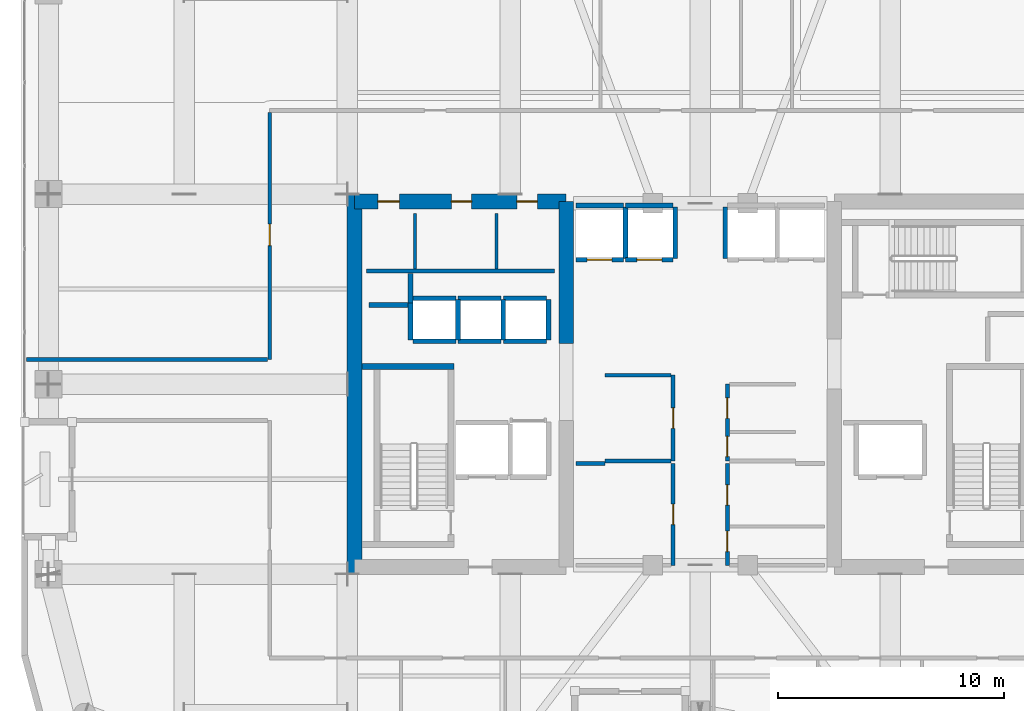
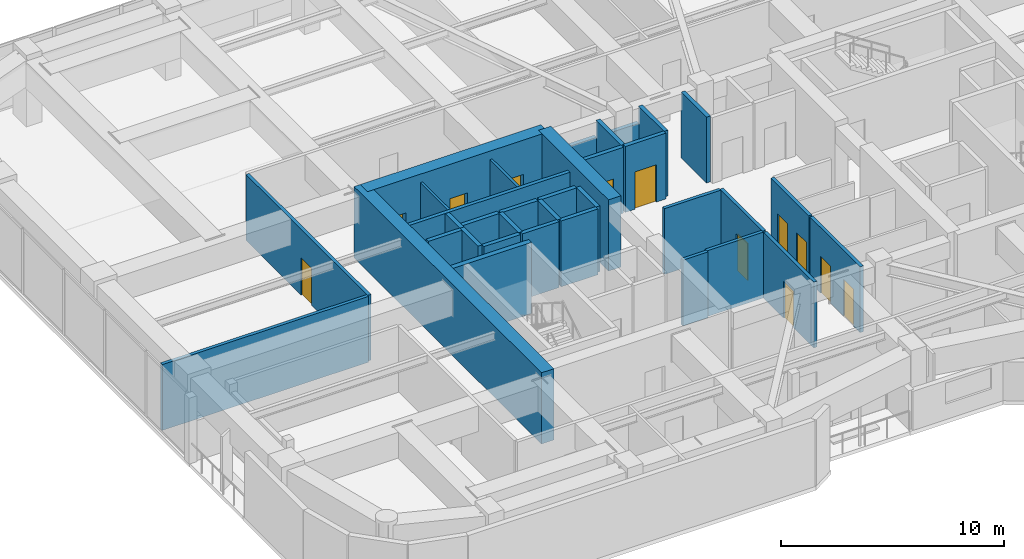
# One storey, part 25 of 30: 35 walls, 12 doors, 12 openings.
"""IFC4 building model written with IfcOpenShell, lengths in metres."""

from ifc_helpers import new_model, si_unit, direction, frame, frame_2d, origin, place, context, subcontext, project, spatial, rectangle, extrude, material, layer, layer_set, type_object, element, fill, save


model = new_model("IFC4")

# Units and contexts
model_context = context("Model", 3, precision=1e-05, world=origin(), true_north=direction((0.0, 1.0)))
body_context = subcontext(model_context, "Body", "Model", "MODEL_VIEW")
ifc_project = project(units=[si_unit("LENGTHUNIT", "METRE"), si_unit("AREAUNIT", "SQUARE_METRE"), si_unit("VOLUMEUNIT", "CUBIC_METRE"), si_unit("PLANEANGLEUNIT", "RADIAN"), si_unit("MASSUNIT", "GRAM", prefix="KILO")], contexts=[model_context])

# Site, building, storey
site_placement = place(None, origin())
site = spatial("IfcSite", under=ifc_project, at=site_placement, CompositionType="ELEMENT")
building_placement = place(site_placement, origin())
building = spatial("IfcBuilding", under=site, at=building_placement, Name="Kiyonajd Concourse Tower", CompositionType="ELEMENT")
storey_placement = place(building_placement, frame((0.0, 0.0, 205.800048828125)))
storey = spatial("IfcBuildingStorey", under=building, at=storey_placement, Name="L52", CompositionType="ELEMENT", Elevation=205.800048828125)

# Walls
ifc_material_1 = material(Name="Concrete C60/75", Category="concrete")
ifc_layer_1 = layer(ifc_material_1, 0.64990234375)
ifc_layer_set_1 = layer_set([ifc_layer_1], Name="Concrete C60/75")
wall_type_1 = type_object("IfcWallType", Name="WL-CORE-650", PredefinedType="SHEAR", material=ifc_layer_set_1)
wall_1_placement = place(storey_placement, frame((32.72509765625, 27.60009765625, 0.0), z_axis=(0.0, 0.0, 1.0), x_axis=(0.0, 1.0, 0.0)))
element("IfcWall", 1, at=wall_1_placement, inside=storey, type_object=wall_type_1, Name="L52 West Core Outer Shear Wall", PredefinedType="SHEAR", context=body_context, shape_type="SweptSolid", body=[
    extrude(rectangle(XDim=16.7998046875, YDim=0.64990234375, at=frame_2d((8.39990234375, 0.0))), origin(), (0.0, 0.0, 1.0), 3.89990234375),
])
wall_2_placement = place(storey_placement, frame((42.074951171875, 37.800048828125, 0.0), z_axis=(0.0, 0.0, 1.0), x_axis=(0.0, 1.0, 0.0)))
element("IfcWall", 2, at=wall_2_placement, inside=storey, type_object=wall_type_1, Name="L52 West Core Inner North Shear Wall", PredefinedType="SHEAR", context=body_context, shape_type="SweptSolid", body=[
    extrude(rectangle(XDim=6.27490234375, YDim=0.64990234375, at=frame_2d((3.137451171875, 0.0))), origin(), (0.0, 0.0, 1.0), 3.89990234375),
])

# Wall, openings, doors
wall_3_placement = place(storey_placement, frame((32.72509765625, 44.074951171875, 0.0), z_axis=(0.0, 0.0, 1.0), x_axis=(1.0, 0.0, 0.0)))
wall_3 = element("IfcWall", 3, at=wall_3_placement, inside=storey, type_object=wall_type_1, Name="L52 West Core North Shear Wall", PredefinedType="SHEAR", context=body_context, shape_type="SweptSolid", body=[
    extrude(rectangle(XDim=9.349853515625, YDim=0.64990234375, at=frame_2d((4.6748046875, 0.0))), origin(), (0.0, 0.0, 1.0), 3.89990234375),
])
opening_1_placement = place(wall_3_placement, frame((1.02490234375, 0.0, 0.0)))
opening_1 = element("IfcOpeningElement", 4, at=opening_1_placement, cuts=wall_3, Name="Opening DI1", PredefinedType="OPENING", context=body_context, shape_type="SweptSolid", body=[
    extrude(rectangle(XDim=0.949951171875, YDim=2.0400390625, at=frame_2d((0.47509765625, 1.02001953125))), frame((0.0, 0.3349609375, 0.0), z_axis=(0.0, -1.0, 0.0), x_axis=(1.0, 0.0, 0.0)), (0.0, 0.0, 1.0), 0.669921875),
])
opening_2_placement = place(wall_3_placement, frame((4.27490234375, 0.0, 0.0)))
opening_2 = element("IfcOpeningElement", 5, at=opening_2_placement, cuts=wall_3, Name="Opening DI2", PredefinedType="OPENING", context=body_context, shape_type="SweptSolid", body=[
    extrude(rectangle(XDim=0.89990234375, YDim=2.02001953125, at=frame_2d((0.449951171875, 1.010009765625))), frame((0.0, 0.3349609375, 0.0), z_axis=(0.0, -1.0, 0.0), x_axis=(1.0, 0.0, 0.0)), (0.0, 0.0, 1.0), 0.669921875),
])
opening_3_placement = place(wall_3_placement, frame((7.175048828125, 0.0, 0.0)))
opening_3 = element("IfcOpeningElement", 6, at=opening_3_placement, cuts=wall_3, Name="Opening DI2", PredefinedType="OPENING", context=body_context, shape_type="SweptSolid", body=[
    extrude(rectangle(XDim=0.89990234375, YDim=2.02001953125, at=frame_2d((0.449951171875, 1.010009765625))), frame((0.0, 0.3349609375, 0.0), z_axis=(0.0, -1.0, 0.0), x_axis=(1.0, 0.0, 0.0)), (0.0, 0.0, 1.0), 0.669921875),
])
ifc_material_2 = material(Name="Natural Oak Acoustic Timber Veneer", Category="wood")
door_type_1 = type_object("IfcDoorType", Name="DR-INT-900", OperationType="NOTDEFINED", PredefinedType="DOOR", material=ifc_material_2)
door_1_placement = place(opening_2_placement, origin())
door_1 = element("IfcDoor", 7, at=door_1_placement, inside=storey, type_object=door_type_1, Name="L52 Male Restroom Door", OperationType="SINGLE_SWING_RIGHT", OverallHeight=2.02001953125, OverallWidth=0.89990234375, PredefinedType="DOOR", context=body_context, shape_type="SweptSolid", body=[
    extrude(rectangle(XDim=0.89990234375, YDim=2.02001953125, at=frame_2d((0.449951171875, 1.010009765625))), frame((0.0, 0.02490234375, 0.0), z_axis=(0.0, -1.0, 0.0), x_axis=(1.0, 0.0, 0.0)), (0.0, 0.0, 1.0), 0.050048828125),
])
fill(opening_2, door_1)
door_2_placement = place(opening_3_placement, origin())
door_2 = element("IfcDoor", 8, at=door_2_placement, inside=storey, type_object=door_type_1, Name="L52 Female Restroom Door", OperationType="SINGLE_SWING_LEFT", OverallHeight=2.02001953125, OverallWidth=0.89990234375, PredefinedType="DOOR", context=body_context, shape_type="SweptSolid", body=[
    extrude(rectangle(XDim=0.89990234375, YDim=2.02001953125, at=frame_2d((0.449951171875, 1.010009765625))), frame((0.0, 0.02490234375, 0.0), z_axis=(0.0, -1.0, 0.0), x_axis=(1.0, 0.0, 0.0)), (0.0, 0.0, 1.0), 0.050048828125),
])
fill(opening_3, door_2)
door_type_2 = type_object("IfcDoorType", Name="DR-INT-950", OperationType="NOTDEFINED", PredefinedType="DOOR", material=ifc_material_2)
door_3_placement = place(opening_1_placement, origin())
door_3 = element("IfcDoor", 9, at=door_3_placement, inside=storey, type_object=door_type_2, Name="L52 Single User Accessible WC Door", OperationType="SINGLE_SWING_LEFT", OverallHeight=2.0400390625, OverallWidth=0.949951171875, PredefinedType="DOOR", context=body_context, shape_type="SweptSolid", body=[
    extrude(rectangle(XDim=0.949951171875, YDim=2.0400390625, at=frame_2d((0.47509765625, 1.02001953125))), frame((0.0, 0.02490234375, 0.0), z_axis=(0.0, -1.0, 0.0), x_axis=(1.0, 0.0, 0.0)), (0.0, 0.0, 1.0), 0.050048828125),
])
fill(opening_1, door_3)

# Walls
ifc_material_3 = material(Name="Gypsum Board on Cold-Formed Steel Stud", Category="steel")
ifc_layer_2 = layer(ifc_material_3, 0.125)
ifc_layer_set_2 = layer_set([ifc_layer_2], Name="Gypsum Board on Cold-Formed Steel Stud")
wall_type_2 = type_object("IfcWallType", Name="WL-PART-125", PredefinedType="PARTITIONING", material=ifc_layer_set_2)
for number, where, z_axis, x_axis, name in (
    (10, (35.39990234375, 41.094970703125, 0.0), (0.0, 0.0, 1.0), (0.0, 1.0, 0.0), "L52 Interior Partition Wall"),
    (11, (39.0, 41.094970703125, 0.0), (0.0, 0.0, 1.0), (0.0, 1.0, 0.0), "L52 Interior Partition Wall"),
):
    element("IfcWall", number, at=place(storey_placement, frame(where, z_axis=z_axis, x_axis=x_axis)), inside=storey, type_object=wall_type_2, Name=name, PredefinedType="PARTITIONING", context=body_context, shape_type="SweptSolid", body=[
        extrude(rectangle(XDim=2.455078125, YDim=0.125, at=frame_2d((1.2275390625, 0.0))), origin(), (0.0, 0.0, 1.0), 3.599853515625),
    ])
ifc_layer_3 = layer(ifc_material_3, 0.18994140625)
ifc_layer_set_3 = layer_set([ifc_layer_3], Name="Gypsum Board on Cold-Formed Steel Stud")
wall_type_3 = type_object("IfcWallType", Name="WL-PLMB-190", PredefinedType="PLUMBINGWALL", material=ifc_layer_set_3)
wall_4_placement = place(storey_placement, frame((33.25, 41.0, 0.0), z_axis=(0.0, 0.0, 1.0), x_axis=(1.0, 0.0, 0.0)))
element("IfcWall", 12, at=wall_4_placement, inside=storey, type_object=wall_type_3, Name="L52 Interior Partition Wall", PredefinedType="PLUMBINGWALL", context=body_context, shape_type="SweptSolid", body=[
    extrude(rectangle(XDim=8.300048828125, YDim=0.18994140625, at=frame_2d((4.14990234375, 0.0))), origin(), (0.0, 0.0, 1.0), 3.599853515625),
])
ifc_layer_4 = layer(ifc_material_3, 0.2099609375)
ifc_layer_set_4 = layer_set([ifc_layer_4], Name="Gypsum Board on Cold-Formed Steel Stud")
wall_type_4 = type_object("IfcWallType", Name="WL-SHAFT-210", PredefinedType="PARTITIONING", material=ifc_layer_set_4)
wall_5_placement = place(storey_placement, frame((33.360107421875, 39.5, 0.0), z_axis=(0.0, 0.0, 1.0), x_axis=(1.0, 0.0, 0.0)))
element("IfcWall", 13, at=wall_5_placement, inside=storey, type_object=wall_type_4, Name="L52 Shaft Enclosure Wall", PredefinedType="PARTITIONING", context=body_context, shape_type="SweptSolid", body=[
    extrude(rectangle(XDim=1.85986328125, YDim=0.2099609375, at=frame_2d((0.929931640625, 0.0))), origin(), (0.0, 0.0, 1.0), 3.599853515625),
])
wall_6_placement = place(storey_placement, frame((35.199951171875, 39.580078125, 0.0), z_axis=(0.0, 0.0, 1.0), x_axis=(0.0, 1.0, 0.0)))
element("IfcWall", 14, at=wall_6_placement, inside=storey, type_object=wall_type_4, Name="L52 Shaft Enclosure Wall", PredefinedType="PARTITIONING", context=body_context, shape_type="SweptSolid", body=[
    extrude(rectangle(XDim=1.31982421875, YDim=0.2099609375, at=frame_2d((0.659912109375, 0.0))), origin(), (0.0, 0.0, 1.0), 3.599853515625),
])

# Wall, opening, door
wall_7_placement = place(storey_placement, frame((42.5, 41.5, 0.0), z_axis=(0.0, 0.0, 1.0), x_axis=(1.0, 0.0, 0.0)))
wall_7 = element("IfcWall", 15, at=wall_7_placement, inside=storey, type_object=wall_type_4, Name="L52 Shaft Enclosure Wall", PredefinedType="PARTITIONING", context=body_context, shape_type="SweptSolid", body=[
    extrude(rectangle(XDim=2.10009765625, YDim=0.2099609375, at=frame_2d((1.050048828125, 0.0))), origin(), (0.0, 0.0, 1.0), 3.599853515625),
])
opening_4_placement = place(wall_7_placement, frame((0.5, 0.0, 0.0)))
opening_4 = element("IfcOpeningElement", 16, at=opening_4_placement, cuts=wall_7, Name="Opening LD1", PredefinedType="OPENING", context=body_context, shape_type="SweptSolid", body=[
    extrude(rectangle(XDim=1.10009765625, YDim=2.0400390625, at=frame_2d((0.550048828125, 1.02001953125))), frame((0.0, 0.114990234375, 0.0), z_axis=(0.0, -1.0, 0.0), x_axis=(1.0, 0.0, 0.0)), (0.0, 0.0, 1.0), 0.22998046875),
])
ifc_material_4 = material(Name="Brushed Stainless Steel Cab Assembly", Category="steel")
door_type_3 = type_object("IfcDoorType", Name="DR-LD-1100", OperationType="DOUBLE_DOOR_SLIDING", PredefinedType="DOOR", material=ifc_material_4)
door_4_placement = place(opening_4_placement, origin())
door_4 = element("IfcDoor", 17, at=door_4_placement, inside=storey, type_object=door_type_3, Name="L52 Lift PL-M1 Sliding Landing Door", OperationType="DOUBLE_DOOR_SLIDING", OverallHeight=2.0400390625, OverallWidth=1.10009765625, PredefinedType="DOOR", context=body_context, shape_type="SweptSolid", body=[
    extrude(rectangle(XDim=1.10009765625, YDim=2.0400390625, at=frame_2d((0.550048828125, 1.02001953125))), frame((0.0, 0.02490234375, 0.0), z_axis=(0.0, -1.0, 0.0), x_axis=(1.0, 0.0, 0.0)), (0.0, 0.0, 1.0), 0.050048828125),
])
fill(opening_4, door_4)

# Walls
wall_8_placement = place(storey_placement, frame((42.5, 43.89990234375, 0.0), z_axis=(0.0, 0.0, 1.0), x_axis=(1.0, 0.0, 0.0)))
element("IfcWall", 18, at=wall_8_placement, inside=storey, type_object=wall_type_4, Name="L52 Shaft Enclosure Wall", PredefinedType="PARTITIONING", context=body_context, shape_type="SweptSolid", body=[
    extrude(rectangle(XDim=2.10009765625, YDim=0.2099609375, at=frame_2d((1.050048828125, 0.0))), origin(), (0.0, 0.0, 1.0), 2.68505859375),
])
wall_9_placement = place(storey_placement, frame((44.699951171875, 41.56005859375, 0.0), z_axis=(0.0, 0.0, 1.0), x_axis=(0.0, 1.0, 0.0)))
element("IfcWall", 19, at=wall_9_placement, inside=storey, type_object=wall_type_4, Name="L52 Shaft Enclosure Wall", PredefinedType="PARTITIONING", context=body_context, shape_type="SweptSolid", body=[
    extrude(rectangle(XDim=2.280029296875, YDim=0.2099609375, at=frame_2d((1.14013671875, 0.0))), origin(), (0.0, 0.0, 1.0), 3.599853515625),
])

# Wall, opening, door
wall_10_placement = place(storey_placement, frame((44.699951171875, 41.5, 0.0), z_axis=(0.0, 0.0, 1.0), x_axis=(1.0, 0.0, 0.0)))
wall_10 = element("IfcWall", 20, at=wall_10_placement, inside=storey, type_object=wall_type_4, Name="L52 Shaft Enclosure Wall", PredefinedType="PARTITIONING", context=body_context, shape_type="SweptSolid", body=[
    extrude(rectangle(XDim=2.10009765625, YDim=0.2099609375, at=frame_2d((1.050048828125, 0.0))), origin(), (0.0, 0.0, 1.0), 3.599853515625),
])
opening_5_placement = place(wall_10_placement, frame((0.5, 0.0, 0.0)))
opening_5 = element("IfcOpeningElement", 21, at=opening_5_placement, cuts=wall_10, Name="Opening LD1", PredefinedType="OPENING", context=body_context, shape_type="SweptSolid", body=[
    extrude(rectangle(XDim=1.10009765625, YDim=2.0400390625, at=frame_2d((0.550048828125, 1.02001953125))), frame((0.0, 0.114990234375, 0.0), z_axis=(0.0, -1.0, 0.0), x_axis=(1.0, 0.0, 0.0)), (0.0, 0.0, 1.0), 0.22998046875),
])
door_5_placement = place(opening_5_placement, origin())
door_5 = element("IfcDoor", 22, at=door_5_placement, inside=storey, type_object=door_type_3, Name="L52 Lift PL-M2 Sliding Landing Door", OperationType="DOUBLE_DOOR_SLIDING", OverallHeight=2.0400390625, OverallWidth=1.10009765625, PredefinedType="DOOR", context=body_context, shape_type="SweptSolid", body=[
    extrude(rectangle(XDim=1.10009765625, YDim=2.0400390625, at=frame_2d((0.550048828125, 1.02001953125))), frame((0.0, 0.02490234375, 0.0), z_axis=(0.0, -1.0, 0.0), x_axis=(1.0, 0.0, 0.0)), (0.0, 0.0, 1.0), 0.050048828125),
])
fill(opening_5, door_5)

# Walls
wall_11_placement = place(storey_placement, frame((44.699951171875, 43.89990234375, 0.0), z_axis=(0.0, 0.0, 1.0), x_axis=(1.0, 0.0, 0.0)))
element("IfcWall", 23, at=wall_11_placement, inside=storey, type_object=wall_type_4, Name="L52 Shaft Enclosure Wall", PredefinedType="PARTITIONING", context=body_context, shape_type="SweptSolid", body=[
    extrude(rectangle(XDim=2.10009765625, YDim=0.2099609375, at=frame_2d((1.050048828125, 0.0))), origin(), (0.0, 0.0, 1.0), 2.68505859375),
])
for number, where, z_axis, x_axis, name in (
    (24, (46.89990234375, 41.56005859375, 0.0), (0.0, 0.0, 1.0), (0.0, 1.0, 0.0), "L52 Shaft Enclosure Wall"),
    (25, (49.10009765625, 41.56005859375, 0.0), (0.0, 0.0, 1.0), (0.0, 1.0, 0.0), "L52 Shaft Enclosure Wall"),
):
    element("IfcWall", number, at=place(storey_placement, frame(where, z_axis=z_axis, x_axis=x_axis)), inside=storey, type_object=wall_type_4, Name=name, PredefinedType="PARTITIONING", context=body_context, shape_type="SweptSolid", body=[
        extrude(rectangle(XDim=2.280029296875, YDim=0.2099609375, at=frame_2d((1.14013671875, 0.0))), origin(), (0.0, 0.0, 1.0), 3.599853515625),
    ])
for number, where, z_axis, x_axis, name in (
    (26, (35.300048828125, 37.89990234375, 0.0), (0.0, 0.0, 1.0), (1.0, 0.0, 0.0), "L52 Shaft Enclosure Wall"),
    (27, (35.300048828125, 39.800048828125, 0.0), (0.0, 0.0, 1.0), (1.0, 0.0, 0.0), "L52 Shaft Enclosure Wall"),
):
    element("IfcWall", number, at=place(storey_placement, frame(where, z_axis=z_axis, x_axis=x_axis)), inside=storey, type_object=wall_type_4, Name=name, PredefinedType="PARTITIONING", context=body_context, shape_type="SweptSolid", body=[
        extrude(rectangle(XDim=1.89990234375, YDim=0.2099609375, at=frame_2d((0.949951171875, 0.0))), origin(), (0.0, 0.0, 1.0), 3.599853515625),
    ])
wall_12_placement = place(storey_placement, frame((35.199951171875, 37.9599609375, 0.0), z_axis=(0.0, 0.0, 1.0), x_axis=(0.0, 1.0, 0.0)))
element("IfcWall", 28, at=wall_12_placement, inside=storey, type_object=wall_type_4, Name="L52 Shaft Enclosure Wall", PredefinedType="PARTITIONING", context=body_context, shape_type="SweptSolid", body=[
    extrude(rectangle(XDim=1.6201171875, YDim=0.2099609375, at=frame_2d((0.81005859375, 0.0))), origin(), (0.0, 0.0, 1.0), 3.599853515625),
])
wall_13_placement = place(storey_placement, frame((37.300048828125, 37.9599609375, 0.0), z_axis=(0.0, 0.0, 1.0), x_axis=(0.0, 1.0, 0.0)))
element("IfcWall", 29, at=wall_13_placement, inside=storey, type_object=wall_type_4, Name="L52 Shaft Enclosure Wall", PredefinedType="PARTITIONING", context=body_context, shape_type="SweptSolid", body=[
    extrude(rectangle(XDim=1.780029296875, YDim=0.2099609375, at=frame_2d((0.89013671875, 0.0))), origin(), (0.0, 0.0, 1.0), 3.599853515625),
])
for number, where, z_axis, x_axis, name in (
    (30, (37.300048828125, 37.89990234375, 0.0), (0.0, 0.0, 1.0), (1.0, 0.0, 0.0), "L52 Shaft Enclosure Wall"),
    (31, (37.300048828125, 39.800048828125, 0.0), (0.0, 0.0, 1.0), (1.0, 0.0, 0.0), "L52 Shaft Enclosure Wall"),
):
    element("IfcWall", number, at=place(storey_placement, frame(where, z_axis=z_axis, x_axis=x_axis)), inside=storey, type_object=wall_type_4, Name=name, PredefinedType="PARTITIONING", context=body_context, shape_type="SweptSolid", body=[
        extrude(rectangle(XDim=1.89990234375, YDim=0.2099609375, at=frame_2d((0.949951171875, 0.0))), origin(), (0.0, 0.0, 1.0), 3.599853515625),
    ])
wall_14_placement = place(storey_placement, frame((39.300048828125, 37.9599609375, 0.0), z_axis=(0.0, 0.0, 1.0), x_axis=(0.0, 1.0, 0.0)))
element("IfcWall", 32, at=wall_14_placement, inside=storey, type_object=wall_type_4, Name="L52 Shaft Enclosure Wall", PredefinedType="PARTITIONING", context=body_context, shape_type="SweptSolid", body=[
    extrude(rectangle(XDim=1.780029296875, YDim=0.2099609375, at=frame_2d((0.89013671875, 0.0))), origin(), (0.0, 0.0, 1.0), 3.599853515625),
])
for number, where, z_axis, x_axis, name in (
    (33, (39.300048828125, 37.89990234375, 0.0), (0.0, 0.0, 1.0), (1.0, 0.0, 0.0), "L52 Shaft Enclosure Wall"),
    (34, (39.300048828125, 39.800048828125, 0.0), (0.0, 0.0, 1.0), (1.0, 0.0, 0.0), "L52 Shaft Enclosure Wall"),
):
    element("IfcWall", number, at=place(storey_placement, frame(where, z_axis=z_axis, x_axis=x_axis)), inside=storey, type_object=wall_type_4, Name=name, PredefinedType="PARTITIONING", context=body_context, shape_type="SweptSolid", body=[
        extrude(rectangle(XDim=1.89990234375, YDim=0.2099609375, at=frame_2d((0.949951171875, 0.0))), origin(), (0.0, 0.0, 1.0), 3.599853515625),
    ])
wall_15_placement = place(storey_placement, frame((41.300048828125, 37.9599609375, 0.0), z_axis=(0.0, 0.0, 1.0), x_axis=(0.0, 1.0, 0.0)))
element("IfcWall", 35, at=wall_15_placement, inside=storey, type_object=wall_type_4, Name="L52 Shaft Enclosure Wall", PredefinedType="PARTITIONING", context=body_context, shape_type="SweptSolid", body=[
    extrude(rectangle(XDim=1.780029296875, YDim=0.2099609375, at=frame_2d((0.89013671875, 0.0))), origin(), (0.0, 0.0, 1.0), 3.599853515625),
])

# Wall, opening, door
ifc_layer_5 = layer(ifc_material_3, 0.169921875)
ifc_layer_set_5 = layer_set([ifc_layer_5], Name="Gypsum Board on Cold-Formed Steel Stud")
wall_type_5 = type_object("IfcWallType", Name="WL-SMK-170", PredefinedType="PARTITIONING", material=ifc_layer_set_5)
wall_16_placement = place(storey_placement, frame((46.800048828125, 32.60009765625, 0.0), z_axis=(0.0, 0.0, 1.0), x_axis=(0.0, 1.0, 0.0)))
wall_16 = element("IfcWall", 36, at=wall_16_placement, inside=storey, type_object=wall_type_5, Name="L52 Interior Partition Wall", PredefinedType="PARTITIONING", context=body_context, shape_type="SweptSolid", body=[
    extrude(rectangle(XDim=3.7998046875, YDim=0.169921875, at=frame_2d((1.89990234375, 0.0))), origin(), (0.0, 0.0, 1.0), 3.599853515625),
])
opening_6_placement = place(wall_16_placement, frame((1.449951171875, 0.0, 0.0)))
opening_6 = element("IfcOpeningElement", 37, at=opening_6_placement, cuts=wall_16, Name="Opening DI2", PredefinedType="OPENING", context=body_context, shape_type="SweptSolid", body=[
    extrude(rectangle(XDim=0.89990234375, YDim=2.02001953125, at=frame_2d((0.449951171875, 1.010009765625))), frame((0.0, 0.094970703125, 0.0), z_axis=(0.0, -1.0, 0.0), x_axis=(1.0, 0.0, 0.0)), (0.0, 0.0, 1.0), 0.18994140625),
])
door_6_placement = place(opening_6_placement, origin())
door_6 = element("IfcDoor", 38, at=door_6_placement, inside=storey, type_object=door_type_1, Name="L52 Interior Door", OperationType="SINGLE_SWING_RIGHT", OverallHeight=2.02001953125, OverallWidth=0.89990234375, PredefinedType="DOOR", context=body_context, shape_type="SweptSolid", body=[
    extrude(rectangle(XDim=0.89990234375, YDim=2.02001953125, at=frame_2d((0.449951171875, 1.010009765625))), frame((0.0, 0.02490234375, 0.0), z_axis=(0.0, -1.0, 0.0), x_axis=(1.0, 0.0, 0.0)), (0.0, 0.0, 1.0), 0.050048828125),
])
fill(opening_6, door_6)

# Walls
for number, where, z_axis, x_axis, name in (
    (39, (43.800048828125, 32.60009765625, 0.0), (0.0, 0.0, 1.0), (1.0, 0.0, 0.0), "L52 Interior Partition Wall"),
    (40, (43.800048828125, 36.39990234375, 0.0), (0.0, 0.0, 1.0), (1.0, 0.0, 0.0), "L52 Interior Partition Wall"),
):
    element("IfcWall", number, at=place(storey_placement, frame(where, z_axis=z_axis, x_axis=x_axis)), inside=storey, type_object=wall_type_5, Name=name, PredefinedType="PARTITIONING", context=body_context, shape_type="SweptSolid", body=[
        extrude(rectangle(XDim=2.912841796875, YDim=0.169921875, at=frame_2d((1.45654296875, 0.0))), origin(), (0.0, 0.0, 1.0), 3.599853515625),
    ])

# Wall, openings, doors
wall_17_placement = place(storey_placement, frame((49.199951171875, 32.60009765625, 0.0), z_axis=(0.0, 0.0, 1.0), x_axis=(0.0, 1.0, 0.0)))
wall_17 = element("IfcWall", 41, at=wall_17_placement, inside=storey, type_object=wall_type_5, Name="L52 Interior Partition Wall", PredefinedType="PARTITIONING", context=body_context, shape_type="SweptSolid", body=[
    extrude(rectangle(XDim=3.39990234375, YDim=0.169921875, at=frame_2d((1.699951171875, 0.0))), origin(), (0.0, 0.0, 1.0), 3.599853515625),
])
opening_7_placement = place(wall_17_placement, frame((0.196044921875, 0.0, 0.0)))
opening_7 = element("IfcOpeningElement", 42, at=opening_7_placement, cuts=wall_17, Name="Opening DI2", PredefinedType="OPENING", context=body_context, shape_type="SweptSolid", body=[
    extrude(rectangle(XDim=0.89990234375, YDim=2.02001953125, at=frame_2d((0.449951171875, 1.010009765625))), frame((0.0, 0.094970703125, 0.0), z_axis=(0.0, -1.0, 0.0), x_axis=(1.0, 0.0, 0.0)), (0.0, 0.0, 1.0), 0.18994140625),
])
opening_8_placement = place(wall_17_placement, frame((1.89599609375, 0.0, 0.0)))
opening_8 = element("IfcOpeningElement", 43, at=opening_8_placement, cuts=wall_17, Name="Opening DI2", PredefinedType="OPENING", context=body_context, shape_type="SweptSolid", body=[
    extrude(rectangle(XDim=0.89990234375, YDim=2.02001953125, at=frame_2d((0.449951171875, 1.010009765625))), frame((0.0, 0.094970703125, 0.0), z_axis=(0.0, -1.0, 0.0), x_axis=(1.0, 0.0, 0.0)), (0.0, 0.0, 1.0), 0.18994140625),
])
door_7_placement = place(opening_7_placement, origin())
door_7 = element("IfcDoor", 44, at=door_7_placement, inside=storey, type_object=door_type_1, Name="L52 Interior Door", OperationType="SINGLE_SWING_LEFT", OverallHeight=2.02001953125, OverallWidth=0.89990234375, PredefinedType="DOOR", context=body_context, shape_type="SweptSolid", body=[
    extrude(rectangle(XDim=0.89990234375, YDim=2.02001953125, at=frame_2d((0.449951171875, 1.010009765625))), frame((0.0, 0.02490234375, 0.0), z_axis=(0.0, -1.0, 0.0), x_axis=(1.0, 0.0, 0.0)), (0.0, 0.0, 1.0), 0.050048828125),
])
fill(opening_7, door_7)
door_8_placement = place(opening_8_placement, origin())
door_8 = element("IfcDoor", 45, at=door_8_placement, inside=storey, type_object=door_type_1, Name="L52 Interior Door", OperationType="SINGLE_SWING_RIGHT", OverallHeight=2.02001953125, OverallWidth=0.89990234375, PredefinedType="DOOR", context=body_context, shape_type="SweptSolid", body=[
    extrude(rectangle(XDim=0.89990234375, YDim=2.02001953125, at=frame_2d((0.449951171875, 1.010009765625))), frame((0.0, 0.02490234375, 0.0), z_axis=(0.0, -1.0, 0.0), x_axis=(1.0, 0.0, 0.0)), (0.0, 0.0, 1.0), 0.050048828125),
])
fill(opening_8, door_8)

# Wall, opening, door
wall_18_placement = place(storey_placement, frame((46.800048828125, 28.0, 0.0), z_axis=(0.0, 0.0, 1.0), x_axis=(0.0, 1.0, 0.0)))
wall_18 = element("IfcWall", 46, at=wall_18_placement, inside=storey, type_object=wall_type_5, Name="L52 Interior Partition Wall", PredefinedType="PARTITIONING", context=body_context, shape_type="SweptSolid", body=[
    extrude(rectangle(XDim=4.5, YDim=0.169921875, at=frame_2d((2.25, 0.0))), origin(), (0.0, 0.0, 1.0), 3.599853515625),
])
opening_9_placement = place(wall_18_placement, frame((1.800048828125, 0.0, 0.0)))
opening_9 = element("IfcOpeningElement", 47, at=opening_9_placement, cuts=wall_18, Name="Opening DI2", PredefinedType="OPENING", context=body_context, shape_type="SweptSolid", body=[
    extrude(rectangle(XDim=0.89990234375, YDim=2.02001953125, at=frame_2d((0.449951171875, 1.010009765625))), frame((0.0, 0.094970703125, 0.0), z_axis=(0.0, -1.0, 0.0), x_axis=(1.0, 0.0, 0.0)), (0.0, 0.0, 1.0), 0.18994140625),
])
door_9_placement = place(opening_9_placement, origin())
door_9 = element("IfcDoor", 48, at=door_9_placement, inside=storey, type_object=door_type_1, Name="L52 Interior Door", OperationType="SINGLE_SWING_LEFT", OverallHeight=2.02001953125, OverallWidth=0.89990234375, PredefinedType="DOOR", context=body_context, shape_type="SweptSolid", body=[
    extrude(rectangle(XDim=0.89990234375, YDim=2.02001953125, at=frame_2d((0.449951171875, 1.010009765625))), frame((0.0, 0.02490234375, 0.0), z_axis=(0.0, -1.0, 0.0), x_axis=(1.0, 0.0, 0.0)), (0.0, 0.0, 1.0), 0.050048828125),
])
fill(opening_9, door_9)

# Wall
wall_19_placement = place(storey_placement, frame((42.5, 32.5, 0.0), z_axis=(0.0, 0.0, 1.0), x_axis=(1.0, 0.0, 0.0)))
element("IfcWall", 49, at=wall_19_placement, inside=storey, type_object=wall_type_5, Name="L52 Interior Partition Wall", PredefinedType="PARTITIONING", context=body_context, shape_type="SweptSolid", body=[
    extrude(rectangle(XDim=1.300048828125, YDim=0.169921875, at=frame_2d((0.64990234375, 0.0))), origin(), (0.0, 0.0, 1.0), 3.599853515625),
])

# Wall, openings, doors
wall_20_placement = place(storey_placement, frame((49.199951171875, 28.0, 0.0), z_axis=(0.0, 0.0, 1.0), x_axis=(0.0, 1.0, 0.0)))
wall_20 = element("IfcWall", 50, at=wall_20_placement, inside=storey, type_object=wall_type_5, Name="L52 Interior Partition Wall", PredefinedType="PARTITIONING", context=body_context, shape_type="SweptSolid", body=[
    extrude(rectangle(XDim=4.5, YDim=0.169921875, at=frame_2d((2.25, 0.0))), origin(), (0.0, 0.0, 1.0), 3.599853515625),
])
opening_10_placement = place(wall_20_placement, frame((0.60498046875, 0.0, 0.0)))
opening_10 = element("IfcOpeningElement", 51, at=opening_10_placement, cuts=wall_20, Name="Opening DI2", PredefinedType="OPENING", context=body_context, shape_type="SweptSolid", body=[
    extrude(rectangle(XDim=0.89990234375, YDim=2.02001953125, at=frame_2d((0.449951171875, 1.010009765625))), frame((0.0, 0.094970703125, 0.0), z_axis=(0.0, -1.0, 0.0), x_axis=(1.0, 0.0, 0.0)), (0.0, 0.0, 1.0), 0.18994140625),
])
opening_11_placement = place(wall_20_placement, frame((2.655029296875, 0.0, 0.0)))
opening_11 = element("IfcOpeningElement", 52, at=opening_11_placement, cuts=wall_20, Name="Opening DI2", PredefinedType="OPENING", context=body_context, shape_type="SweptSolid", body=[
    extrude(rectangle(XDim=0.89990234375, YDim=2.02001953125, at=frame_2d((0.449951171875, 1.010009765625))), frame((0.0, 0.094970703125, 0.0), z_axis=(0.0, -1.0, 0.0), x_axis=(1.0, 0.0, 0.0)), (0.0, 0.0, 1.0), 0.18994140625),
])
door_10_placement = place(opening_10_placement, origin())
door_10 = element("IfcDoor", 53, at=door_10_placement, inside=storey, type_object=door_type_1, Name="L52 Interior Door", OperationType="SINGLE_SWING_RIGHT", OverallHeight=2.02001953125, OverallWidth=0.89990234375, PredefinedType="DOOR", context=body_context, shape_type="SweptSolid", body=[
    extrude(rectangle(XDim=0.89990234375, YDim=2.02001953125, at=frame_2d((0.449951171875, 1.010009765625))), frame((0.0, 0.02490234375, 0.0), z_axis=(0.0, -1.0, 0.0), x_axis=(1.0, 0.0, 0.0)), (0.0, 0.0, 1.0), 0.050048828125),
])
fill(opening_10, door_10)
door_11_placement = place(opening_11_placement, origin())
door_11 = element("IfcDoor", 54, at=door_11_placement, inside=storey, type_object=door_type_1, Name="L52 Interior Door", OperationType="SINGLE_SWING_LEFT", OverallHeight=2.02001953125, OverallWidth=0.89990234375, PredefinedType="DOOR", context=body_context, shape_type="SweptSolid", body=[
    extrude(rectangle(XDim=0.89990234375, YDim=2.02001953125, at=frame_2d((0.449951171875, 1.010009765625))), frame((0.0, 0.02490234375, 0.0), z_axis=(0.0, -1.0, 0.0), x_axis=(1.0, 0.0, 0.0)), (0.0, 0.0, 1.0), 0.050048828125),
])
fill(opening_11, door_11)

# Wall, opening, door
wall_21_placement = place(storey_placement, frame((28.97509765625, 37.10009765625, 0.0), z_axis=(0.0, 0.0, 1.0), x_axis=(0.0, 1.0, 0.0)))
wall_21 = element("IfcWall", 55, at=wall_21_placement, inside=storey, type_object=wall_type_5, Name="L52 Interior Partition Wall", PredefinedType="PARTITIONING", context=body_context, shape_type="SweptSolid", body=[
    extrude(rectangle(XDim=10.912841796875, YDim=0.169921875, at=frame_2d((5.45654296875, 0.0))), origin(), (0.0, 0.0, 1.0), 3.599853515625),
])
opening_12_placement = place(wall_21_placement, frame((5.02490234375, 0.0, 0.0)))
opening_12 = element("IfcOpeningElement", 56, at=opening_12_placement, cuts=wall_21, Name="Opening DI1", PredefinedType="OPENING", context=body_context, shape_type="SweptSolid", body=[
    extrude(rectangle(XDim=0.949951171875, YDim=2.0400390625, at=frame_2d((0.47509765625, 1.02001953125))), frame((0.0, 0.094970703125, 0.0), z_axis=(0.0, -1.0, 0.0), x_axis=(1.0, 0.0, 0.0)), (0.0, 0.0, 1.0), 0.18994140625),
])
door_12_placement = place(opening_12_placement, origin())
door_12 = element("IfcDoor", 57, at=door_12_placement, inside=storey, type_object=door_type_2, Name="L52 Interior Door", OperationType="SINGLE_SWING_LEFT", OverallHeight=2.0400390625, OverallWidth=0.949951171875, PredefinedType="DOOR", context=body_context, shape_type="SweptSolid", body=[
    extrude(rectangle(XDim=0.949951171875, YDim=2.0400390625, at=frame_2d((0.47509765625, 1.02001953125))), frame((0.0, 0.02490234375, 0.0), z_axis=(0.0, -1.0, 0.0), x_axis=(1.0, 0.0, 0.0)), (0.0, 0.0, 1.0), 0.050048828125),
])
fill(opening_12, door_12)

# Walls
wall_22_placement = place(storey_placement, frame((18.22509765625, 37.10009765625, 0.0), z_axis=(0.0, 0.0, 1.0), x_axis=(1.0, 0.0, 0.0)))
element("IfcWall", 58, at=wall_22_placement, inside=storey, type_object=wall_type_5, Name="L52 Interior Partition Wall", PredefinedType="PARTITIONING", context=body_context, shape_type="SweptSolid", body=[
    extrude(rectangle(XDim=10.662841796875, YDim=0.169921875, at=frame_2d((5.33154296875, 0.0))), origin(), (0.0, 0.0, 1.0), 3.599853515625),
])
ifc_material_5 = material(Name="Concrete C50/60", Category="concrete")
ifc_layer_6 = layer(ifc_material_5, 0.260009765625)
ifc_layer_set_6 = layer_set([ifc_layer_6], Name="Concrete C50/60")
wall_type_6 = type_object("IfcWallType", Name="WL-STAIR-260", PredefinedType="SHEAR", material=ifc_layer_set_6)
wall_23_placement = place(storey_placement, frame((33.050048828125, 36.780029296875, 0.0), z_axis=(0.0, 0.0, 1.0), x_axis=(1.0, 0.0, 0.0)))
element("IfcWall", 59, at=wall_23_placement, inside=storey, type_object=wall_type_6, Name="L52 Stair ST1 Structural North Wall", PredefinedType="SHEAR", context=body_context, shape_type="SweptSolid", body=[
    extrude(rectangle(XDim=4.06005859375, YDim=0.260009765625, at=frame_2d((2.030029296875, 0.0))), origin(), (0.0, 0.0, 1.0), 3.89990234375),
])

save(model, "model.ifc")
